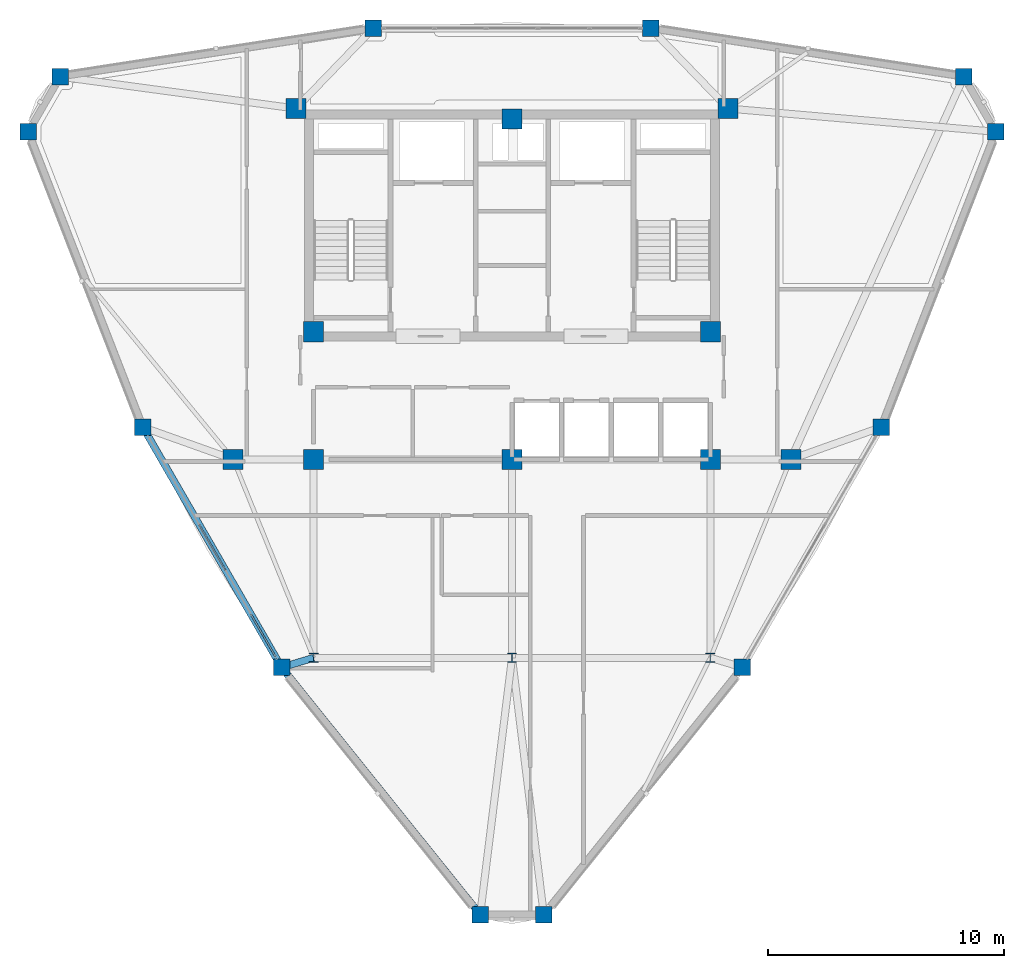
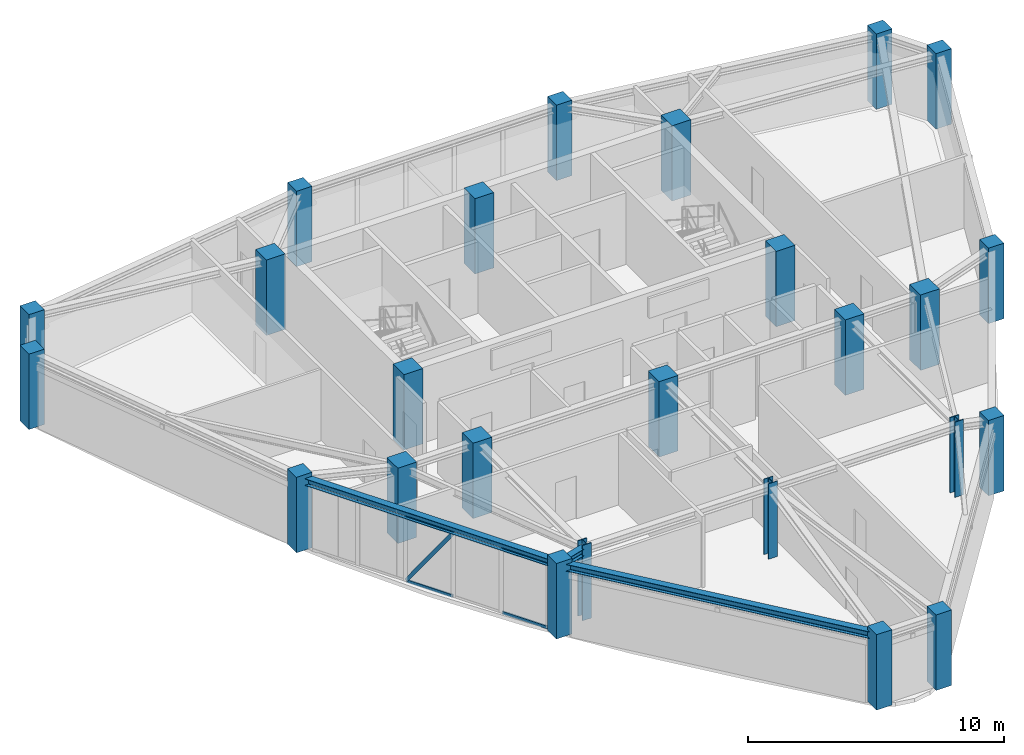
# One storey, part 1 of 15: 25 columns, 5 members, 3 beams, 1 element without a shape of its own.
"""IFC4 building model written with IfcOpenShell, lengths in metres."""

from ifc_helpers import new_model, si_unit, derived_unit, direction, frame, origin, origin_2d, place, context, subcontext, project, spatial, rectangle, hollow_rectangle, i_section, extrude, source, transform, mapped, material, layer, layer_set, material_profile, profile_set, type_object, element, aggregate, save


model = new_model("IFC4")

# Units and contexts
model_context = context("Model", 3, precision=1e-05, world=origin(), true_north=direction((0.0, 1.0)))
body_context = subcontext(model_context, "Body", "Model", "MODEL_VIEW")
ifc_project = project(units=[si_unit("LENGTHUNIT", "METRE"), si_unit("AREAUNIT", "SQUARE_METRE"), si_unit("VOLUMEUNIT", "CUBIC_METRE"), si_unit("PLANEANGLEUNIT", "RADIAN"), si_unit("MASSUNIT", "GRAM", prefix="KILO"), derived_unit("THERMALTRANSMITTANCEUNIT", [(si_unit("POWERUNIT", "WATT"), 1), (si_unit("LENGTHUNIT", "METRE"), -2), (si_unit("THERMODYNAMICTEMPERATUREUNIT", "KELVIN"), -1)])], contexts=[model_context])

# Site, building, storey
site_placement = place(None, origin())
site = spatial("IfcSite", under=ifc_project, at=site_placement, CompositionType="ELEMENT")
building_placement = place(site_placement, origin())
building = spatial("IfcBuilding", under=site, at=building_placement, Name="Korsvarv Bourse and Concert Hall", CompositionType="ELEMENT")
storey_placement = place(building_placement, frame((0.0, 0.0, 264.60009765625)))
storey = spatial("IfcBuildingStorey", under=building, at=storey_placement, Name="L69", CompositionType="ELEMENT", Elevation=264.60009765625)

# Columns
ifc_material_1 = material(Name="Concrete C50/60", Category="concrete")
ifc_material_profile_1 = material_profile(ifc_material_1, rectangle(XDim=0.85009765625, YDim=0.85009765625, at=origin_2d()), Name="RC 850x850")
ifc_profile_set_1 = profile_set([ifc_material_profile_1], Name="Concrete C50/60")
column_type_1 = type_object("IfcColumnType", Name="COL-RC850", PredefinedType="COLUMN", material=ifc_profile_set_1)
shared_shape_1 = source(origin(), body_context, "Body", "SweptSolid", [
    extrude(rectangle(XDim=0.85009765625, YDim=0.85009765625, at=origin_2d()), origin(), (0.0, 0.0, 1.0), 3.599853515625),
])
for number, where, z_axis, x_axis, name in (
    (1, (26.85009765625, 47.25, 0.0), (0.0, 0.0, 1.0), (1.0, 0.0, 0.0), "L69 column C-04"),
    (2, (45.14990234375, 47.25, 0.0), (0.0, 0.0, 1.0), (1.0, 0.0, 0.0), "L69 column C-04"),
    (3, (27.60009765625, 37.800048828125, 0.0), (0.0, 0.0, 1.0), (1.0, 0.0, 0.0), "L69 column C-04"),
    (4, (44.39990234375, 37.800048828125, 0.0), (0.0, 0.0, 1.0), (1.0, 0.0, 0.0), "L69 column C-04"),
    (5, (27.60009765625, 32.39990234375, 0.0), (0.0, 0.0, 1.0), (1.0, 0.0, 0.0), "L69 column C-04"),
    (6, (44.39990234375, 32.39990234375, 0.0), (0.0, 0.0, 1.0), (1.0, 0.0, 0.0), "L69 column C-04"),
    (7, (36.0, 46.800048828125, 0.0), (0.0, 0.0, 1.0), (1.0, 0.0, 0.0), "L69 column C-04"),
    (8, (36.0, 32.39990234375, 0.0), (0.0, 0.0, 1.0), (1.0, 0.0, 0.0), "L69 column C-04"),
    (9, (24.199951171875, 32.39990234375, 0.0), (0.0, 0.0, 1.0), (1.0, 0.0, 0.0), "L69 column C-04"),
    (10, (47.800048828125, 32.39990234375, 0.0), (0.0, 0.0, 1.0), (1.0, 0.0, 0.0), "L69 column C-04"),
):
    element("IfcColumn", number, at=place(storey_placement, frame(where, z_axis=z_axis, x_axis=x_axis)), inside=storey, type_object=column_type_1, Name=name, PredefinedType="COLUMN", context=body_context, shape_type="MappedRepresentation", body=[
        mapped(shared_shape_1, transform((0.0, 0.0, 0.0), scale=1.0)),
    ])
ifc_material_2 = material(Name="Steel S355", Category="steel")
ifc_material_profile_2 = material_profile(ifc_material_2, i_section(OverallWidth=0.40087890625, OverallDepth=0.39892578125, WebThickness=0.0224609375, FlangeThickness=0.035888671875, FilletRadius=0.014892578125, at=origin_2d()), Name="HD 400x314")
ifc_profile_set_2 = profile_set([ifc_material_profile_2], Name="Steel S355")
column_type_2 = type_object("IfcColumnType", Name="COL-HD314", PredefinedType="COLUMN", material=ifc_profile_set_2)
shared_shape_2 = source(origin(), body_context, "Body", "SweptSolid", [
    extrude(i_section(OverallWidth=0.40087890625, OverallDepth=0.39892578125, WebThickness=0.0224609375, FlangeThickness=0.035888671875, FilletRadius=0.014892578125, at=origin_2d()), origin(), (0.0, 0.0, 1.0), 3.599853515625),
])
for number, where, z_axis, x_axis, name in (
    (11, (27.60009765625, 24.0, 0.0), (0.0, 0.0, 1.0), (1.0, 0.0, 0.0), "L69 column C-11"),
    (12, (44.39990234375, 24.0, 0.0), (0.0, 0.0, 1.0), (1.0, 0.0, 0.0), "L69 column C-11"),
    (13, (36.0, 24.0, 0.0), (0.0, 0.0, 1.0), (1.0, 0.0, 0.0), "L69 column C-11"),
):
    element("IfcColumn", number, at=place(storey_placement, frame(where, z_axis=z_axis, x_axis=x_axis)), inside=storey, type_object=column_type_2, Name=name, PredefinedType="COLUMN", context=body_context, shape_type="MappedRepresentation", body=[
        mapped(shared_shape_2, transform((0.0, 0.0, 0.0), scale=1.0)),
    ])
ifc_material_profile_3 = material_profile(ifc_material_1, rectangle(XDim=0.699951171875, YDim=0.699951171875, at=origin_2d()), Name="RC 700x700")
ifc_profile_set_3 = profile_set([ifc_material_profile_3], Name="Concrete C50/60")
column_type_3 = type_object("IfcColumnType", Name="COL-RC700", PredefinedType="COLUMN", material=ifc_profile_set_3)
shared_shape_3 = source(origin(), body_context, "Body", "SweptSolid", [
    extrude(rectangle(XDim=0.699951171875, YDim=0.699951171875, at=origin_2d()), origin(), (0.0, 0.0, 1.0), 3.599853515625),
])
for number, where, z_axis, x_axis, name in (
    (14, (56.47412109375, 46.266357421875, 0.0), (0.0, 0.0, 1.0), (1.0, 0.0, 0.0), "L69 column C-05"),
    (15, (55.1279296875, 48.597900390625, 0.0), (0.0, 0.0, 1.0), (1.0, 0.0, 0.0), "L69 column C-05"),
    (16, (41.869384765625, 50.646728515625, 0.0), (0.0, 0.0, 1.0), (1.0, 0.0, 0.0), "L69 column C-05"),
    (17, (30.130615234375, 50.646728515625, 0.0), (0.0, 0.0, 1.0), (1.0, 0.0, 0.0), "L69 column C-05"),
    (18, (16.8720703125, 48.597900390625, 0.0), (0.0, 0.0, 1.0), (1.0, 0.0, 0.0), "L69 column C-05"),
    (19, (15.52587890625, 46.266357421875, 0.0), (0.0, 0.0, 1.0), (1.0, 0.0, 0.0), "L69 column C-05"),
    (20, (20.380859375, 33.759765625, 0.0), (0.0, 0.0, 1.0), (1.0, 0.0, 0.0), "L69 column C-05"),
    (21, (26.250244140625, 23.593505859375, 0.0), (0.0, 0.0, 1.0), (1.0, 0.0, 0.0), "L69 column C-05"),
    (22, (34.65380859375, 13.135498046875, 0.0), (0.0, 0.0, 1.0), (1.0, 0.0, 0.0), "L69 column C-05"),
    (23, (37.34619140625, 13.135498046875, 0.0), (0.0, 0.0, 1.0), (1.0, 0.0, 0.0), "L69 column C-05"),
    (24, (45.749755859375, 23.593505859375, 0.0), (0.0, 0.0, 1.0), (1.0, 0.0, 0.0), "L69 column C-05"),
    (25, (51.619140625, 33.759765625, 0.0), (0.0, 0.0, 1.0), (1.0, 0.0, 0.0), "L69 column C-05"),
):
    element("IfcColumn", number, at=place(storey_placement, frame(where, z_axis=z_axis, x_axis=x_axis)), inside=storey, type_object=column_type_3, Name=name, PredefinedType="COLUMN", context=body_context, shape_type="MappedRepresentation", body=[
        mapped(shared_shape_3, transform((0.0, 0.0, 0.0), scale=1.0)),
    ])

# Beams
ifc_material_profile_4 = material_profile(ifc_material_2, i_section(OverallWidth=0.300048828125, OverallDepth=0.330078125, WebThickness=0.009521484375, FlangeThickness=0.0166015625, FilletRadius=0.02099609375, at=origin_2d()), Name="HEA 340")
ifc_profile_set_4 = profile_set([ifc_material_profile_4], Name="Steel S355")
beam_type = type_object("IfcBeamType", Name="BM-HEA340", PredefinedType="BEAM", material=ifc_profile_set_4)
shared_shape_4 = source(origin(), body_context, "Body", "SweptSolid", [
    extrude(i_section(OverallWidth=0.300048828125, OverallDepth=0.330078125, WebThickness=0.009521484375, FlangeThickness=0.0166015625, FilletRadius=0.02099609375, at=origin_2d()), origin(), (0.0, 0.0, 1.0), 13.416015625),
])
beam_1_placement = place(storey_placement, frame((26.250244140625, 23.593505859375, 3.244873046875), z_axis=(0.626382420215, -0.779515916223, 0.0), x_axis=(0.779515916223, 0.626382420215, 0.0)))
element("IfcBeam", 26, at=beam_1_placement, inside=storey, type_object=beam_type, Name="L69 beam B-12", PredefinedType="BEAM", context=body_context, shape_type="MappedRepresentation", body=[
    mapped(shared_shape_4, transform((0.0, 0.0, 0.0), scale=1.0)),
])
shared_shape_5 = source(origin(), body_context, "Body", "SweptSolid", [
    extrude(i_section(OverallWidth=0.300048828125, OverallDepth=0.330078125, WebThickness=0.009521484375, FlangeThickness=0.0166015625, FilletRadius=0.02099609375, at=origin_2d()), origin(), (0.0, 0.0, 1.0), 11.739013671875),
])
beam_2_placement = place(storey_placement, frame((20.380859375, 33.759765625, 3.244873046875), z_axis=(0.499993096883, -0.866029389264, 0.0), x_axis=(0.866029389264, 0.499993096883, 0.0)))
element("IfcBeam", 27, at=beam_2_placement, inside=storey, type_object=beam_type, Name="L69 beam B-12", PredefinedType="BEAM", context=body_context, shape_type="MappedRepresentation", body=[
    mapped(shared_shape_5, transform((0.0, 0.0, 0.0), scale=1.0)),
])
shared_shape_6 = source(origin(), body_context, "Body", "SweptSolid", [
    extrude(i_section(OverallWidth=0.300048828125, OverallDepth=0.330078125, WebThickness=0.009521484375, FlangeThickness=0.0166015625, FilletRadius=0.02099609375, at=origin_2d()), origin(), (0.0, 0.0, 1.0), 1.40966796875),
])
beam_3_placement = place(storey_placement, frame((26.250244140625, 23.593505859375, 3.244873046875), z_axis=(0.957525473457, 0.288348691139, 0.0), x_axis=(-0.288348691139, 0.957525473457, 0.0)))
element("IfcBeam", 28, at=beam_3_placement, inside=storey, type_object=beam_type, Name="L69 beam B-12", PredefinedType="BEAM", context=body_context, shape_type="MappedRepresentation", body=[
    mapped(shared_shape_6, transform((0.0, 0.0, 0.0), scale=1.0)),
])

# Curtain wall, members
ifc_material_3 = material(Name="Anodised aluminium and triple low-E glazing", Category="glass")
ifc_layer = layer(ifc_material_3, 0.199951171875)
ifc_layer_set = layer_set([ifc_layer], Name="Anodised aluminium and triple low-E glazing")
curtain_wall_type = type_object("IfcCurtainWallType", Name="CW-SYS-3", PredefinedType="NOTDEFINED", material=ifc_layer_set)
curtain_wall_placement = place(storey_placement, origin())
curtain_wall = element("IfcCurtainWall", 29, at=curtain_wall_placement, inside=storey, type_object=curtain_wall_type, Name="L69 CW3 curtain wall CW-L69-F07", PredefinedType="NOTDEFINED")
ifc_material_4 = material(Name="Extruded aluminium EN AW-6063 T66", Category="aluminium")
ifc_material_profile_5 = material_profile(ifc_material_4, hollow_rectangle(XDim=0.06494140625, YDim=0.139892578125, WallThickness=0.00390625, at=origin_2d()), Name="ALU-T 65x140")
ifc_profile_set_5 = profile_set([ifc_material_profile_5], Name="Extruded aluminium EN AW-6063 T66")
member_type_1 = type_object("IfcMemberType", Name="CWT-140", PredefinedType="USERDEFINED", material=ifc_profile_set_5)
shared_shape_7 = source(origin(), body_context, "Body", "SweptSolid", [
    extrude(hollow_rectangle(XDim=0.06494140625, YDim=0.139892578125, WallThickness=0.00390625, at=origin_2d()), origin(), (0.0, 0.0, 1.0), 2.057861328125),
])
member_1_placement = place(storey_placement, frame((24.955322265625, 25.83642578125, 0.032470703125), z_axis=(0.500030520673, -0.866007781949, 0.0), x_axis=(0.866007781949, 0.500030520673, 0.0)))
member_1 = element("IfcMember", 30, at=member_1_placement, type_object=member_type_1, Name="CW3 transom 5.1", ObjectType="TRANSOM", PredefinedType="USERDEFINED", context=body_context, shape_type="MappedRepresentation", body=[
    mapped(shared_shape_7, transform((0.0, 0.0, 0.0), scale=1.0)),
])
member_2_placement = place(storey_placement, frame((24.955322265625, 25.83642578125, 3.04736328125), z_axis=(0.500030520673, -0.866007781949, 0.0), x_axis=(0.866007781949, 0.500030520673, 0.0)))
member_2 = element("IfcMember", 31, at=member_2_placement, type_object=member_type_1, Name="CW3 transom 5.2", ObjectType="TRANSOM", PredefinedType="USERDEFINED", context=body_context, shape_type="MappedRepresentation", body=[
    mapped(shared_shape_7, transform((0.0, 0.0, 0.0), scale=1.0)),
])
shared_shape_8 = source(origin(), body_context, "Body", "SweptSolid", [
    extrude(hollow_rectangle(XDim=0.06494140625, YDim=0.139892578125, WallThickness=0.00390625, at=origin_2d()), origin(), (0.0, 0.0, 1.0), 2.09326171875),
])
member_3_placement = place(storey_placement, frame((22.792236328125, 29.5830078125, 0.032470703125), z_axis=(0.5000152428, -0.866016603171, 0.0), x_axis=(0.866016603171, 0.5000152428, 0.0)))
member_3 = element("IfcMember", 32, at=member_3_placement, type_object=member_type_1, Name="CW3 transom 3.1", ObjectType="TRANSOM", PredefinedType="USERDEFINED", context=body_context, shape_type="MappedRepresentation", body=[
    mapped(shared_shape_8, transform((0.0, 0.0, 0.0), scale=1.0)),
])
member_4_placement = place(storey_placement, frame((22.792236328125, 29.5830078125, 3.04736328125), z_axis=(0.5000152428, -0.866016603171, 0.0), x_axis=(0.866016603171, 0.5000152428, 0.0)))
member_4 = element("IfcMember", 33, at=member_4_placement, type_object=member_type_1, Name="CW3 transom 3.2", ObjectType="TRANSOM", PredefinedType="USERDEFINED", context=body_context, shape_type="MappedRepresentation", body=[
    mapped(shared_shape_8, transform((0.0, 0.0, 0.0), scale=1.0)),
])
ifc_material_profile_6 = material_profile(ifc_material_4, hollow_rectangle(XDim=0.06494140625, YDim=0.1650390625, WallThickness=0.0048828125, at=origin_2d()), Name="ALU-M 65x165")
ifc_profile_set_6 = profile_set([ifc_material_profile_6], Name="Extruded aluminium EN AW-6063 T66")
member_type_2 = type_object("IfcMemberType", Name="CWM-165", PredefinedType="MULLION", material=ifc_profile_set_6)
shared_shape_9 = source(origin(), body_context, "Body", "SweptSolid", [
    extrude(hollow_rectangle(XDim=0.06494140625, YDim=0.1650390625, WallThickness=0.0048828125, at=origin_2d()), origin(), (0.0, 0.0, 1.0), 3.6171875),
])
member_5_placement = place(storey_placement, frame((22.792236328125, 29.5830078125, 0.06494140625), z_axis=(0.289353288749, -0.501154226489, 0.815548352682), x_axis=(0.866016603171, 0.5000152428, 0.0)))
member_5 = element("IfcMember", 34, at=member_5_placement, type_object=member_type_2, Name="CW3 diagonal mullion 3", PredefinedType="MULLION", context=body_context, shape_type="MappedRepresentation", body=[
    mapped(shared_shape_9, transform((0.0, 0.0, 0.0), scale=1.0)),
])
aggregate(curtain_wall, [member_3, member_4, member_5, member_1, member_2])

save(model, "model.ifc")
